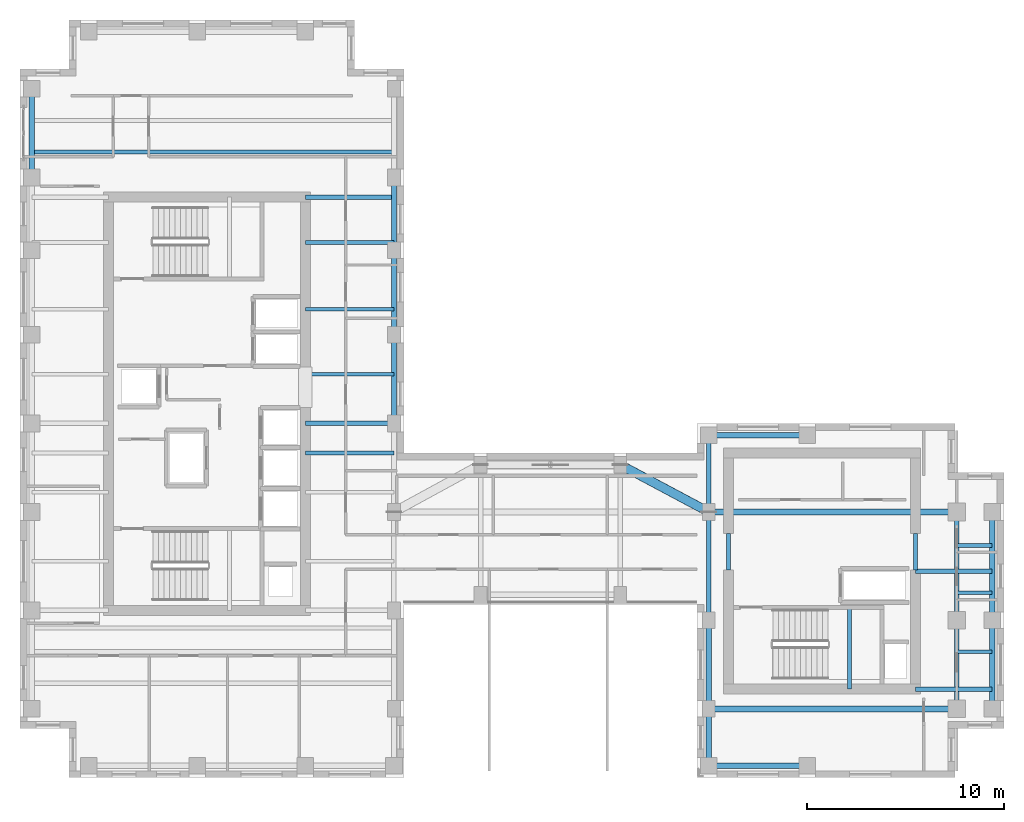
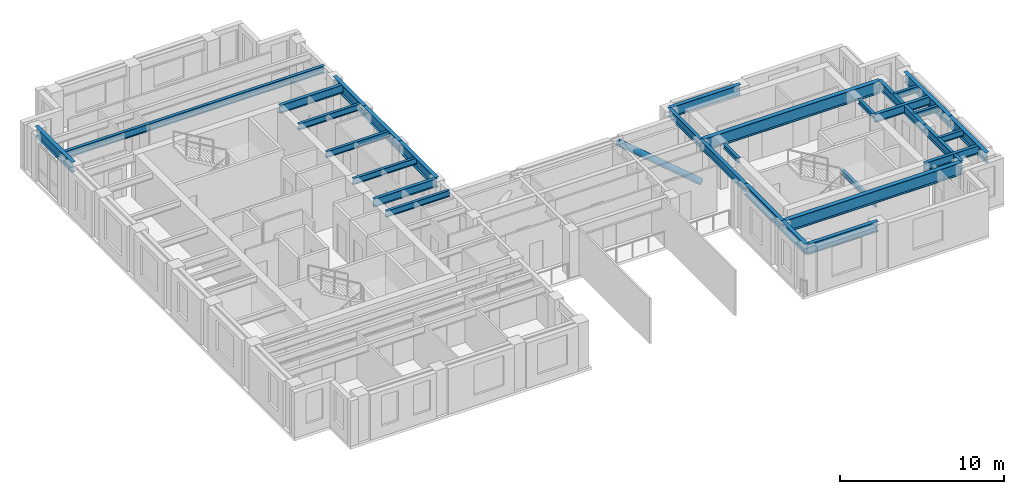
# One storey, part 3 of 14: 31 beams, 1 member.
"""IFC4 building model written with IfcOpenShell, lengths in metres."""

from ifc_helpers import new_model, si_unit, direction, frame, origin, origin_2d, place, context, subcontext, project, spatial, hollow_circle, i_section, extrude, source, transform, mapped, material, material_profile, profile_set, type_object, element, save


model = new_model("IFC4")

# Units and contexts
model_context = context("Model", 3, precision=1e-05, world=origin(), true_north=direction((0.0, 1.0)))
body_context = subcontext(model_context, "Body", "Model", "MODEL_VIEW")
ifc_project = project(units=[si_unit("LENGTHUNIT", "METRE"), si_unit("AREAUNIT", "SQUARE_METRE"), si_unit("VOLUMEUNIT", "CUBIC_METRE"), si_unit("PLANEANGLEUNIT", "RADIAN"), si_unit("MASSUNIT", "GRAM", prefix="KILO")], contexts=[model_context])

# Site, building, storey
site_placement = place(None, origin())
site = spatial("IfcSite", under=ifc_project, at=site_placement, CompositionType="ELEMENT")
building_placement = place(site_placement, origin())
building = spatial("IfcBuilding", under=site, at=building_placement, Name="Kharzan Plaza Tower", CompositionType="ELEMENT")
storey_placement = place(building_placement, frame((0.0, 0.0, 241.199951171875)))
storey = spatial("IfcBuildingStorey", under=building, at=storey_placement, Name="L65", CompositionType="ELEMENT", Elevation=241.199951171875)

# Beams
ifc_material = material(Name="Steel S355", Category="steel")
ifc_material_profile_1 = material_profile(ifc_material, i_section(OverallWidth=0.205078125, OverallDepth=0.35400390625, WebThickness=0.009521484375, FlangeThickness=0.016845703125, at=origin_2d()), Name="W360x79")
ifc_profile_set_1 = profile_set([ifc_material_profile_1], Name="Steel S355")
beam_type_1 = type_object("IfcBeamType", Name="BM-LNT360", PredefinedType="LINTEL", material=ifc_profile_set_1)
shared_shape_1 = source(origin(), body_context, "Body", "SweptSolid", [
    extrude(i_section(OverallWidth=0.205078125, OverallDepth=0.35400390625, WebThickness=0.009521484375, FlangeThickness=0.016845703125, at=origin_2d()), origin(), (0.0, 0.0, 1.0), 1.849853515625),
])
for number, where, z_axis, x_axis, name in (
    (1, (45.5, 10.550048828125, 3.22314453125), (0.0, 1.0, 0.0), (-1.0, 0.0, 0.0), "L65 CORE-B coupling lintel LN1-WE"),
    (2, (36.0, 10.550048828125, 3.22314453125), (0.0, 1.0, 0.0), (-1.0, 0.0, 0.0), "L65 CORE-B coupling lintel LN1-WW"),
):
    element("IfcBeam", number, at=place(storey_placement, frame(where, z_axis=z_axis, x_axis=x_axis)), inside=storey, type_object=beam_type_1, Name=name, PredefinedType="LINTEL", context=body_context, shape_type="MappedRepresentation", body=[
        mapped(shared_shape_1, transform((0.0, 0.0, 0.0), x_axis=(1.0, 0.0, 0.0), y_axis=(0.0, 1.0, 0.0), z_axis=(0.0, 0.0, 1.0))),
    ])
shared_shape_2 = source(origin(), body_context, "Body", "SweptSolid", [
    extrude(i_section(OverallWidth=0.205078125, OverallDepth=0.35400390625, WebThickness=0.009521484375, FlangeThickness=0.016845703125, at=origin_2d()), origin(), (0.0, 0.0, 1.0), 4.155029296875),
])
beam_1_placement = place(storey_placement, frame((42.14990234375, 4.5, 1.423095703125), z_axis=(0.0, 1.0, 0.0), x_axis=(-1.0, 0.0, 0.0)))
element("IfcBeam", 3, at=beam_1_placement, inside=storey, type_object=beam_type_1, Name="L65 Stair ST-3 Half-Landing Beam", PredefinedType="LINTEL", context=body_context, shape_type="MappedRepresentation", body=[
    mapped(shared_shape_2, transform((0.0, 0.0, 0.0), x_axis=(1.0, 0.0, 0.0), y_axis=(0.0, 1.0, 0.0), z_axis=(0.0, 0.0, 1.0))),
])
ifc_material_profile_2 = material_profile(ifc_material, i_section(OverallWidth=0.304931640625, OverallDepth=0.9189453125, WebThickness=0.017333984375, FlangeThickness=0.02783203125, at=origin_2d()), Name="W920x253")
ifc_profile_set_2 = profile_set([ifc_material_profile_2], Name="Steel S355")
beam_type_2 = type_object("IfcBeamType", Name="BM-FG920B", PredefinedType="BEAM", material=ifc_profile_set_2)
shared_shape_3 = source(origin(), body_context, "Body", "SweptSolid", [
    extrude(i_section(OverallWidth=0.304931640625, OverallDepth=0.9189453125, WebThickness=0.017333984375, FlangeThickness=0.02783203125, at=origin_2d()), origin(), (0.0, 0.0, 1.0), 12.60009765625),
])
for number, where, z_axis, x_axis, name in (
    (4, (35.0, 3.5, 2.9404296875), (1.0, 0.0, 0.0), (0.0, 1.0, 0.0), "L65 Primary Floor Girder"),
    (5, (35.0, 13.5, 2.9404296875), (1.0, 0.0, 0.0), (0.0, 1.0, 0.0), "L65 Primary Floor Girder"),
):
    element("IfcBeam", number, at=place(storey_placement, frame(where, z_axis=z_axis, x_axis=x_axis)), inside=storey, type_object=beam_type_2, Name=name, PredefinedType="BEAM", context=body_context, shape_type="MappedRepresentation", body=[
        mapped(shared_shape_3, transform((0.0, 0.0, 0.0), x_axis=(1.0, 0.0, 0.0), y_axis=(0.0, 1.0, 0.0), z_axis=(0.0, 0.0, 1.0))),
    ])
ifc_material_profile_3 = material_profile(ifc_material, i_section(OverallWidth=0.2099609375, OverallDepth=0.537109375, WebThickness=0.010986328125, FlangeThickness=0.017333984375, at=origin_2d()), Name="W530x101")
ifc_profile_set_3 = profile_set([ifc_material_profile_3], Name="Steel S355")
beam_type_3 = type_object("IfcBeamType", Name="BM-JST530B", PredefinedType="JOIST", material=ifc_profile_set_3)
shared_shape_4 = source(origin(), body_context, "Body", "SweptSolid", [
    extrude(i_section(OverallWidth=0.2099609375, OverallDepth=0.537109375, WebThickness=0.010986328125, FlangeThickness=0.017333984375, at=origin_2d()), origin(), (0.0, 0.0, 1.0), 18.39990234375),
])
beam_2_placement = place(storey_placement, frame((0.60009765625, 31.800048828125, 3.131591796875), z_axis=(1.0, 0.0, 0.0), x_axis=(0.0, 1.0, 0.0)))
element("IfcBeam", 6, at=beam_2_placement, inside=storey, type_object=beam_type_3, Name="L65 Wing A Composite Joist 04", PredefinedType="JOIST", context=body_context, shape_type="MappedRepresentation", body=[
    mapped(shared_shape_4, transform((0.0, 0.0, 0.0), x_axis=(1.0, 0.0, 0.0), y_axis=(0.0, 1.0, 0.0), z_axis=(0.0, 0.0, 1.0))),
])
ifc_material_profile_4 = material_profile(ifc_material, i_section(OverallWidth=0.194091796875, OverallDepth=0.468994140625, WebThickness=0.011474609375, FlangeThickness=0.0205078125, at=origin_2d()), Name="W460x106")
ifc_profile_set_4 = profile_set([ifc_material_profile_4], Name="Steel S355")
beam_type_4 = type_object("IfcBeamType", Name="BM-JST460", PredefinedType="JOIST", material=ifc_profile_set_4)
shared_shape_5 = source(origin(), body_context, "Body", "SweptSolid", [
    extrude(i_section(OverallWidth=0.194091796875, OverallDepth=0.468994140625, WebThickness=0.011474609375, FlangeThickness=0.0205078125, at=origin_2d()), origin(), (0.0, 0.0, 1.0), 4.5),
])
for number, where, z_axis, x_axis, name in (
    (7, (14.5, 16.5, 3.16552734375), (1.0, 0.0, 0.0), (0.0, 1.0, 0.0), "L65 Wing A East Infill Joist 3"),
    (8, (14.5, 20.5, 3.16552734375), (1.0, 0.0, 0.0), (0.0, 1.0, 0.0), "L65 Wing A East Infill Joist 4"),
    (9, (14.5, 23.800048828125, 3.16552734375), (1.0, 0.0, 0.0), (0.0, 1.0, 0.0), "L65 Wing A East Infill Joist 5"),
    (10, (14.5, 27.199951171875, 3.16552734375), (1.0, 0.0, 0.0), (0.0, 1.0, 0.0), "L65 Wing A East Infill Joist 6"),
):
    element("IfcBeam", number, at=place(storey_placement, frame(where, z_axis=z_axis, x_axis=x_axis)), inside=storey, type_object=beam_type_4, Name=name, PredefinedType="JOIST", context=body_context, shape_type="MappedRepresentation", body=[
        mapped(shared_shape_5, transform((0.0, 0.0, 0.0), x_axis=(1.0, 0.0, 0.0), y_axis=(0.0, 1.0, 0.0), z_axis=(0.0, 0.0, 1.0))),
    ])
ifc_material_profile_5 = material_profile(ifc_material, i_section(OverallWidth=0.22900390625, OverallDepth=0.612060546875, WebThickness=0.011962890625, FlangeThickness=0.01953125, at=origin_2d()), Name="W610x125")
ifc_profile_set_5 = profile_set([ifc_material_profile_5], Name="Steel S355")
beam_type_5 = type_object("IfcBeamType", Name="BM-FG610B", PredefinedType="BEAM", material=ifc_profile_set_5)
shared_shape_6 = source(origin(), body_context, "Body", "SweptSolid", [
    extrude(i_section(OverallWidth=0.22900390625, OverallDepth=0.612060546875, WebThickness=0.011962890625, FlangeThickness=0.01953125, at=origin_2d()), origin(), (0.0, 0.0, 1.0), 4.5),
])
for number, where, z_axis, x_axis, name in (
    (11, (14.5, 18.0, 3.093994140625), (1.0, 0.0, 0.0), (0.0, 1.0, 0.0), "L65 Core-A East Floor Girder 2"),
    (12, (14.5, 29.5, 3.093994140625), (1.0, 0.0, 0.0), (0.0, 1.0, 0.0), "L65 Core-A East Floor Girder 3"),
    (13, (47.60009765625, 3.5, 3.093994140625), (0.0, 1.0, 0.0), (-1.0, 0.0, 0.0), "L65 Interior Frame Girder"),
):
    element("IfcBeam", number, at=place(storey_placement, frame(where, z_axis=z_axis, x_axis=x_axis)), inside=storey, type_object=beam_type_5, Name=name, PredefinedType="BEAM", context=body_context, shape_type="MappedRepresentation", body=[
        mapped(shared_shape_6, transform((0.0, 0.0, 0.0), x_axis=(1.0, 0.0, 0.0), y_axis=(0.0, 1.0, 0.0), z_axis=(0.0, 0.0, 1.0))),
    ])
shared_shape_7 = source(origin(), body_context, "Body", "SweptSolid", [
    extrude(i_section(OverallWidth=0.22900390625, OverallDepth=0.612060546875, WebThickness=0.011962890625, FlangeThickness=0.01953125, at=origin_2d()), origin(), (0.0, 0.0, 1.0), 3.89990234375),
])
for number, where, z_axis, x_axis, name in (
    (14, (45.5, 4.5, 3.093994140625), (1.0, 0.0, 0.0), (0.0, 1.0, 0.0), "L65 Core-B East Floor Girder 1"),
    (15, (45.5, 10.5, 3.093994140625), (1.0, 0.0, 0.0), (0.0, 1.0, 0.0), "L65 Core-B East Floor Girder 2"),
    (16, (35.0, 13.5, 3.093994140625), (0.0, 1.0, 0.0), (-1.0, 0.0, 0.0), "L65 Interior Frame Girder"),
):
    element("IfcBeam", number, at=place(storey_placement, frame(where, z_axis=z_axis, x_axis=x_axis)), inside=storey, type_object=beam_type_5, Name=name, PredefinedType="BEAM", context=body_context, shape_type="MappedRepresentation", body=[
        mapped(shared_shape_7, transform((0.0, 0.0, 0.0), x_axis=(1.0, 0.0, 0.0), y_axis=(0.0, 1.0, 0.0), z_axis=(0.0, 0.0, 1.0))),
    ])
shared_shape_8 = source(origin(), body_context, "Body", "SweptSolid", [
    extrude(i_section(OverallWidth=0.22900390625, OverallDepth=0.612060546875, WebThickness=0.011962890625, FlangeThickness=0.01953125, at=origin_2d()), origin(), (0.0, 0.0, 1.0), 5.5),
])
for number, where, z_axis, x_axis, name in (
    (17, (35.0, 8.0, 3.093994140625), (0.0, 1.0, 0.0), (-1.0, 0.0, 0.0), "L65 Interior Frame Girder"),
    (18, (47.60009765625, 8.0, 3.093994140625), (0.0, 1.0, 0.0), (-1.0, 0.0, 0.0), "L65 Interior Frame Girder"),
):
    element("IfcBeam", number, at=place(storey_placement, frame(where, z_axis=z_axis, x_axis=x_axis)), inside=storey, type_object=beam_type_5, Name=name, PredefinedType="BEAM", context=body_context, shape_type="MappedRepresentation", body=[
        mapped(shared_shape_8, transform((0.0, 0.0, 0.0), x_axis=(1.0, 0.0, 0.0), y_axis=(0.0, 1.0, 0.0), z_axis=(0.0, 0.0, 1.0))),
    ])
shared_shape_9 = source(origin(), body_context, "Body", "SweptSolid", [
    extrude(i_section(OverallWidth=0.194091796875, OverallDepth=0.468994140625, WebThickness=0.011474609375, FlangeThickness=0.0205078125, at=origin_2d()), origin(), (0.0, 0.0, 1.0), 1.7998046875),
])
for number, where, z_axis, x_axis, name in (
    (19, (47.60009765625, 6.39990234375, 3.16552734375), (1.0, 0.0, 0.0), (0.0, 1.0, 0.0), "L65 Wing B Composite Joist 02"),
    (20, (47.60009765625, 9.39990234375, 3.16552734375), (1.0, 0.0, 0.0), (0.0, 1.0, 0.0), "L65 Wing B Composite Joist 03"),
    (21, (47.60009765625, 11.800048828125, 3.16552734375), (1.0, 0.0, 0.0), (0.0, 1.0, 0.0), "L65 Wing B Composite Joist 04"),
):
    element("IfcBeam", number, at=place(storey_placement, frame(where, z_axis=z_axis, x_axis=x_axis)), inside=storey, type_object=beam_type_4, Name=name, PredefinedType="JOIST", context=body_context, shape_type="MappedRepresentation", body=[
        mapped(shared_shape_9, transform((0.0, 0.0, 0.0), x_axis=(1.0, 0.0, 0.0), y_axis=(0.0, 1.0, 0.0), z_axis=(0.0, 0.0, 1.0))),
    ])
ifc_material_profile_6 = material_profile(ifc_material, i_section(OverallWidth=0.26708984375, OverallDepth=0.76611328125, WebThickness=0.014892578125, FlangeThickness=0.023681640625, at=origin_2d()), Name="W760x185")
ifc_profile_set_6 = profile_set([ifc_material_profile_6], Name="Steel S355")
beam_type_6 = type_object("IfcBeamType", Name="BM-SP760B", PredefinedType="SPANDREL", material=ifc_profile_set_6)
shared_shape_10 = source(origin(), body_context, "Body", "SweptSolid", [
    extrude(i_section(OverallWidth=0.26708984375, OverallDepth=0.76611328125, WebThickness=0.014892578125, FlangeThickness=0.023681640625, at=origin_2d()), origin(), (0.0, 0.0, 1.0), 5.0),
])
for number, where, z_axis, x_axis, name in (
    (22, (35.0, 0.60009765625, 3.01708984375), (1.0, 0.0, 0.0), (0.0, 1.0, 0.0), "L65 Perimeter Tube Spandrel"),
    (23, (35.0, 17.39990234375, 3.01708984375), (1.0, 0.0, 0.0), (0.0, 1.0, 0.0), "L65 Perimeter Tube Spandrel"),
):
    element("IfcBeam", number, at=place(storey_placement, frame(where, z_axis=z_axis, x_axis=x_axis)), inside=storey, type_object=beam_type_6, Name=name, PredefinedType="SPANDREL", context=body_context, shape_type="MappedRepresentation", body=[
        mapped(shared_shape_10, transform((0.0, 0.0, 0.0), x_axis=(1.0, 0.0, 0.0), y_axis=(0.0, 1.0, 0.0), z_axis=(0.0, 0.0, 1.0))),
    ])
shared_shape_11 = source(origin(), body_context, "Body", "SweptSolid", [
    extrude(i_section(OverallWidth=0.26708984375, OverallDepth=0.76611328125, WebThickness=0.014892578125, FlangeThickness=0.023681640625, at=origin_2d()), origin(), (0.0, 0.0, 1.0), 4.5),
])
for number, where, z_axis, x_axis, name in (
    (24, (0.60009765625, 30.5, 3.01708984375), (0.0, 1.0, 0.0), (-1.0, 0.0, 0.0), "L65 Perimeter Tube Spandrel"),
    (25, (19.0, 18.0, 3.01708984375), (0.0, 1.0, 0.0), (-1.0, 0.0, 0.0), "L65 Perimeter Tube Spandrel"),
    (26, (35.0, 3.5, 3.01708984375), (0.0, 1.0, 0.0), (-1.0, 0.0, 0.0), "L65 Perimeter Tube Spandrel"),
    (27, (49.39990234375, 3.5, 3.01708984375), (0.0, 1.0, 0.0), (-1.0, 0.0, 0.0), "L65 Perimeter Tube Spandrel"),
):
    element("IfcBeam", number, at=place(storey_placement, frame(where, z_axis=z_axis, x_axis=x_axis)), inside=storey, type_object=beam_type_6, Name=name, PredefinedType="SPANDREL", context=body_context, shape_type="MappedRepresentation", body=[
        mapped(shared_shape_11, transform((0.0, 0.0, 0.0), x_axis=(1.0, 0.0, 0.0), y_axis=(0.0, 1.0, 0.0), z_axis=(0.0, 0.0, 1.0))),
    ])
shared_shape_12 = source(origin(), body_context, "Body", "SweptSolid", [
    extrude(i_section(OverallWidth=0.26708984375, OverallDepth=0.76611328125, WebThickness=0.014892578125, FlangeThickness=0.023681640625, at=origin_2d()), origin(), (0.0, 0.0, 1.0), 4.300048828125),
])
beam_3_placement = place(storey_placement, frame((19.0, 22.5, 3.01708984375), z_axis=(0.0, 1.0, 0.0), x_axis=(-1.0, 0.0, 0.0)))
element("IfcBeam", 28, at=beam_3_placement, inside=storey, type_object=beam_type_6, Name="L65 Perimeter Tube Spandrel", PredefinedType="SPANDREL", context=body_context, shape_type="MappedRepresentation", body=[
    mapped(shared_shape_12, transform((0.0, 0.0, 0.0), x_axis=(1.0, 0.0, 0.0), y_axis=(0.0, 1.0, 0.0), z_axis=(0.0, 0.0, 1.0))),
])
shared_shape_13 = source(origin(), body_context, "Body", "SweptSolid", [
    extrude(i_section(OverallWidth=0.26708984375, OverallDepth=0.76611328125, WebThickness=0.014892578125, FlangeThickness=0.023681640625, at=origin_2d()), origin(), (0.0, 0.0, 1.0), 3.699951171875),
])
beam_4_placement = place(storey_placement, frame((19.0, 26.800048828125, 3.01708984375), z_axis=(0.0, 1.0, 0.0), x_axis=(-1.0, 0.0, 0.0)))
element("IfcBeam", 29, at=beam_4_placement, inside=storey, type_object=beam_type_6, Name="L65 Perimeter Tube Spandrel", PredefinedType="SPANDREL", context=body_context, shape_type="MappedRepresentation", body=[
    mapped(shared_shape_13, transform((0.0, 0.0, 0.0), x_axis=(1.0, 0.0, 0.0), y_axis=(0.0, 1.0, 0.0), z_axis=(0.0, 0.0, 1.0))),
])
shared_shape_14 = source(origin(), body_context, "Body", "SweptSolid", [
    extrude(i_section(OverallWidth=0.26708984375, OverallDepth=0.76611328125, WebThickness=0.014892578125, FlangeThickness=0.023681640625, at=origin_2d()), origin(), (0.0, 0.0, 1.0), 2.89990234375),
])
beam_5_placement = place(storey_placement, frame((35.0, 0.60009765625, 3.01708984375), z_axis=(0.0, 1.0, 0.0), x_axis=(-1.0, 0.0, 0.0)))
element("IfcBeam", 30, at=beam_5_placement, inside=storey, type_object=beam_type_6, Name="L65 Perimeter Tube Spandrel", PredefinedType="SPANDREL", context=body_context, shape_type="MappedRepresentation", body=[
    mapped(shared_shape_14, transform((0.0, 0.0, 0.0), x_axis=(1.0, 0.0, 0.0), y_axis=(0.0, 1.0, 0.0), z_axis=(0.0, 0.0, 1.0))),
])
shared_shape_15 = source(origin(), body_context, "Body", "SweptSolid", [
    extrude(i_section(OverallWidth=0.26708984375, OverallDepth=0.76611328125, WebThickness=0.014892578125, FlangeThickness=0.023681640625, at=origin_2d()), origin(), (0.0, 0.0, 1.0), 5.5),
])
beam_6_placement = place(storey_placement, frame((49.39990234375, 8.0, 3.01708984375), z_axis=(0.0, 1.0, 0.0), x_axis=(-1.0, 0.0, 0.0)))
element("IfcBeam", 31, at=beam_6_placement, inside=storey, type_object=beam_type_6, Name="L65 Perimeter Tube Spandrel", PredefinedType="SPANDREL", context=body_context, shape_type="MappedRepresentation", body=[
    mapped(shared_shape_15, transform((0.0, 0.0, 0.0), x_axis=(1.0, 0.0, 0.0), y_axis=(0.0, 1.0, 0.0), z_axis=(0.0, 0.0, 1.0))),
])

# Member
ifc_material_profile_7 = material_profile(ifc_material, hollow_circle(Radius=0.228515625, WallThickness=0.01611328125, at=origin_2d()), Name="CHS457x16")
ifc_profile_set_7 = profile_set([ifc_material_profile_7], Name="Steel S355")
member_type = type_object("IfcMemberType", Name="MEM-WP-STRUT", PredefinedType="STRUT", material=ifc_profile_set_7)
shared_shape_16 = source(origin(), body_context, "Body", "SweptSolid", [
    extrude(hollow_circle(Radius=0.228515625, WallThickness=0.01611328125, at=origin_2d()), origin(), (0.0, 0.0, 1.0), 5.9580078125),
])
member_placement = place(storey_placement, frame((35.0, 13.5, 0.199951171875), z_axis=(-0.755301387261, 0.40281101545, 0.516974951263), x_axis=(-0.470573327259, -0.882360891967, 0.0)))
element("IfcMember", 32, at=member_placement, inside=storey, type_object=member_type, Name="L65 Wind Portal Frame V-Strut East", PredefinedType="STRUT", context=body_context, shape_type="MappedRepresentation", body=[
    mapped(shared_shape_16, transform((0.0, 0.0, 0.0), x_axis=(1.0, 0.0, 0.0), y_axis=(0.0, 1.0, 0.0), z_axis=(0.0, 0.0, 1.0))),
])

save(model, "model.ifc")
